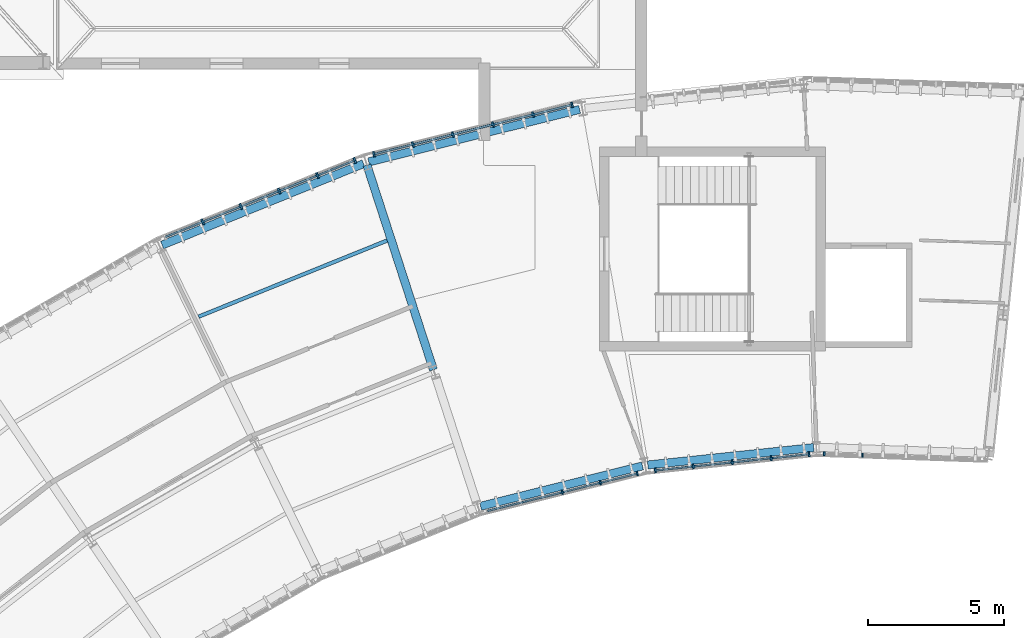
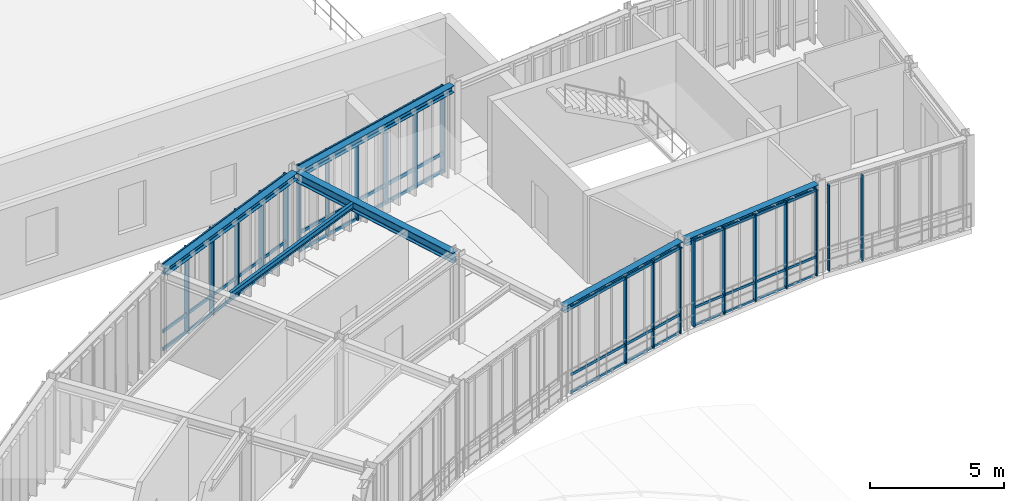
# One storey, part 23 of 57: 33 members, 6 beams, 5 elements without a shape of their own.
"""IFC4 building model written with IfcOpenShell, lengths in metres."""

from ifc_helpers import new_model, si_unit, direction, frame, origin, origin_2d, place, context, subcontext, project, spatial, rectangle, i_section, extrude, material, layer, layer_set, material_profile, profile_set, type_object, element, aggregate, save


model = new_model("IFC4")

# Units and contexts
model_context = context("Model", 3, precision=1e-05, world=origin(), true_north=direction((0.0, 1.0)))
body_context = subcontext(model_context, "Body", "Model", "MODEL_VIEW")
ifc_project = project(units=[si_unit("LENGTHUNIT", "METRE"), si_unit("AREAUNIT", "SQUARE_METRE"), si_unit("VOLUMEUNIT", "CUBIC_METRE"), si_unit("PLANEANGLEUNIT", "RADIAN"), si_unit("MASSUNIT", "GRAM", prefix="KILO"), si_unit("THERMODYNAMICTEMPERATUREUNIT", "KELVIN"), si_unit("POWERUNIT", "WATT")], contexts=[model_context])

# Site, building, storey
site_placement = place(None, origin())
site = spatial("IfcSite", under=ifc_project, at=site_placement, CompositionType="ELEMENT")
building_placement = place(site_placement, origin())
building = spatial("IfcBuilding", under=site, at=building_placement, Name="Solvatero Civic Police Headquarters", CompositionType="ELEMENT")
storey_placement = place(building_placement, frame((0.0, 0.0, 9.300048828125)))
storey = spatial("IfcBuildingStorey", under=building, at=storey_placement, Name="L02", CompositionType="ELEMENT", Elevation=9.300048828125)

# Beams
ifc_material_1 = material(Name="Steel S355", Category="steel")
ifc_material_profile_1 = material_profile(ifc_material_1, i_section(OverallWidth=0.300048828125, OverallDepth=0.2900390625, WebThickness=0.008544921875, FlangeThickness=0.013916015625, FilletRadius=0.027099609375, at=origin_2d()), Name="HEA 300")
ifc_profile_set_1 = profile_set([ifc_material_profile_1], Name="Steel S355")
beam_type_1 = type_object("IfcBeamType", Name="BM-ST-HEA300", PredefinedType="SPANDREL", material=ifc_profile_set_1)
for number, where, z_axis, x_axis, name in (
    (1, (92.31787109375, 71.31201171875, 3.85498046875), (-0.994518545743, -0.104560327912, 0.0), (0.104560327912, -0.994518545743, 0.0), "Perimeter / radial spandrel beam BM-R2-L02-ARC-CIN-B02"),
    (2, (86.028076171875, 70.63671875, 3.85498046875), (-0.970299338414, -0.241907407643, 0.0), (0.241907407643, -0.970299338414, 0.0), "Perimeter / radial spandrel beam BM-R2-L02-ARC-CIN-B03"),
):
    element("IfcBeam", number, at=place(storey_placement, frame(where, z_axis=z_axis, x_axis=x_axis)), inside=storey, type_object=beam_type_1, Name=name, PredefinedType="SPANDREL", context=body_context, shape_type="SweptSolid", body=[
        extrude(i_section(OverallWidth=0.300048828125, OverallDepth=0.2900390625, WebThickness=0.008544921875, FlangeThickness=0.013916015625, FilletRadius=0.027099609375, at=origin_2d()), origin(), (0.0, 0.0, 1.0), 6.126953125),
    ])
ifc_material_profile_2 = material_profile(ifc_material_1, i_section(OverallWidth=0.300048828125, OverallDepth=0.31005859375, WebThickness=0.009033203125, FlangeThickness=0.015380859375, FilletRadius=0.027099609375, at=origin_2d()), Name="HEA 320")
ifc_profile_set_2 = profile_set([ifc_material_profile_2], Name="Steel S355")
beam_type_2 = type_object("IfcBeamType", Name="BM-ST-HEA320", PredefinedType="SPANDREL", material=ifc_profile_set_2)
beam_1_placement = place(storey_placement, frame((83.718505859375, 83.73486328125, 3.844970703125), z_axis=(-0.970295230115, -0.241923885586, 0.0), x_axis=(0.241923885586, -0.970295230115, 0.0)))
element("IfcBeam", 3, at=beam_1_placement, inside=storey, type_object=beam_type_2, Name="Perimeter / radial spandrel beam BM-R2-L02-ARC-COUT-B03", PredefinedType="SPANDREL", context=body_context, shape_type="SweptSolid", body=[
    extrude(i_section(OverallWidth=0.300048828125, OverallDepth=0.31005859375, WebThickness=0.009033203125, FlangeThickness=0.015380859375, FilletRadius=0.027099609375, at=origin_2d()), origin(), (0.0, 0.0, 1.0), 7.982421875),
])
beam_2_placement = place(storey_placement, frame((75.783447265625, 81.741943359375, 3.844970703125), z_axis=(-0.927188731, -0.374594523594, 0.0), x_axis=(0.374594523594, -0.927188731, 0.0)))
element("IfcBeam", 4, at=beam_2_placement, inside=storey, type_object=beam_type_2, Name="Perimeter / radial spandrel beam BM-R2-L02-ARC-COUT-B04", PredefinedType="SPANDREL", context=body_context, shape_type="SweptSolid", body=[
    extrude(i_section(OverallWidth=0.300048828125, OverallDepth=0.31005859375, WebThickness=0.009033203125, FlangeThickness=0.015380859375, FilletRadius=0.027099609375, at=origin_2d()), origin(), (0.0, 0.0, 1.0), 7.982666015625),
])
ifc_material_profile_3 = material_profile(ifc_material_1, i_section(OverallWidth=0.300048828125, OverallDepth=0.43994140625, WebThickness=0.011474609375, FlangeThickness=0.02099609375, FilletRadius=0.027099609375, at=origin_2d()), Name="HEA 450")
ifc_profile_set_3 = profile_set([ifc_material_profile_3], Name="Steel S355")
beam_type_3 = type_object("IfcBeamType", Name="BM-ST-HEA450", PredefinedType="BEAM", material=ifc_profile_set_3)
beam_3_placement = place(storey_placement, frame((78.348388671875, 74.1708984375, 3.780029296875), z_axis=(-0.309033663672, 0.951051099951, 0.0), x_axis=(-0.951051099951, -0.309033663672, 0.0)))
element("IfcBeam", 5, at=beam_3_placement, inside=storey, type_object=beam_type_3, Name="Primary girder BM-R2-L02-ARC-RAD2-S03", PredefinedType="BEAM", context=body_context, shape_type="SweptSolid", body=[
    extrude(i_section(OverallWidth=0.300048828125, OverallDepth=0.43994140625, WebThickness=0.011474609375, FlangeThickness=0.02099609375, FilletRadius=0.027099609375, at=origin_2d()), origin(), (0.0, 0.0, 1.0), 7.900146484375),
])
ifc_material_profile_4 = material_profile(ifc_material_1, i_section(OverallWidth=0.135009765625, OverallDepth=0.27001953125, WebThickness=0.006591796875, FlangeThickness=0.01025390625, FilletRadius=0.014892578125, at=origin_2d()), Name="IPE 270")
ifc_profile_set_4 = profile_set([ifc_material_profile_4], Name="Steel S355")
beam_type_4 = type_object("IfcBeamType", Name="BM-ST-IPE270", PredefinedType="BEAM", material=ifc_profile_set_4)
beam_4_placement = place(storey_placement, frame((76.648681640625, 78.91748046875, 3.864990234375), z_axis=(-0.92718880438, -0.374594341966, 0.0), x_axis=(0.374594341966, -0.92718880438, 0.0)))
element("IfcBeam", 6, at=beam_4_placement, inside=storey, type_object=beam_type_4, Name="Composite floor beam BM-R2-L02-ARC-CS2-B04", PredefinedType="BEAM", context=body_context, shape_type="SweptSolid", body=[
    extrude(i_section(OverallWidth=0.135009765625, OverallDepth=0.27001953125, WebThickness=0.006591796875, FlangeThickness=0.01025390625, FilletRadius=0.014892578125, at=origin_2d()), origin(), (0.0, 0.0, 1.0), 7.470947265625),
])

# Curtain wall, members
ifc_material_2 = material(Name="Anodized Bronze Aluminium", Category="aluminium")
ifc_layer_1 = layer(ifc_material_2, 0.179931640625)
ifc_layer_set_1 = layer_set([ifc_layer_1], Name="Anodized Bronze Aluminium")
curtain_wall_type_1 = type_object("IfcCurtainWallType", Name="CW-ARC-IN", PredefinedType="USERDEFINED", material=ifc_layer_set_1)
curtain_wall_1_placement = place(storey_placement, origin())
curtain_wall_1 = element("IfcCurtainWall", 7, at=curtain_wall_1_placement, inside=storey, type_object=curtain_wall_type_1, Name="Curtain Wall CW-R2-L02-ARC-IN-B01", ObjectType="UNITISED", PredefinedType="USERDEFINED")
ifc_material_profile_5 = material_profile(ifc_material_2, rectangle(XDim=0.06005859375, YDim=0.139892578125, at=origin_2d()), Name="ALU MULLION 60x140")
ifc_profile_set_5 = profile_set([ifc_material_profile_5], Name="Anodized Bronze Aluminium")
member_type_1 = type_object("IfcMemberType", Name="CWM-160x65", PredefinedType="MULLION", material=ifc_profile_set_5)
member_1_placement = place(storey_placement, frame((94.1123046875, 71.03369140625, 0.0), z_axis=(0.0, 0.0, 1.0), x_axis=(-0.999390827019, 0.034899496703, 0.0)))
member_1 = element("IfcMember", 8, at=member_1_placement, type_object=member_type_1, Name="CW-R2-L02-ARC-IN-B01 Mullion 4", PredefinedType="MULLION", context=body_context, shape_type="SweptSolid", body=[
    extrude(rectangle(XDim=0.06005859375, YDim=0.139892578125, at=origin_2d()), origin(), (0.0, 0.0, 1.0), 3.93994140625),
])
member_2_placement = place(storey_placement, frame((92.705078125, 71.082763671875, 0.0), z_axis=(0.0, 0.0, 1.0), x_axis=(-0.999390827019, 0.034899496703, 0.0)))
member_2 = element("IfcMember", 9, at=member_2_placement, type_object=member_type_1, Name="CW-R2-L02-ARC-IN-B01 Mullion 5", PredefinedType="MULLION", context=body_context, shape_type="SweptSolid", body=[
    extrude(rectangle(XDim=0.06005859375, YDim=0.139892578125, at=origin_2d()), origin(), (0.0, 0.0, 1.0), 3.93994140625),
])
aggregate(curtain_wall_1, [member_1, member_2])

curtain_wall_2_placement = place(storey_placement, origin())
curtain_wall_2 = element("IfcCurtainWall", 10, at=curtain_wall_2_placement, inside=storey, type_object=curtain_wall_type_1, Name="Curtain Wall CW-R2-L02-ARC-IN-B03", ObjectType="UNITISED", PredefinedType="USERDEFINED")
ifc_material_profile_6 = material_profile(ifc_material_2, rectangle(XDim=0.06005859375, YDim=0.159912109375, at=origin_2d()), Name="ALU MULLION 60x160")
ifc_profile_set_6 = profile_set([ifc_material_profile_6], Name="Anodized Bronze Aluminium")
member_type_2 = type_object("IfcMemberType", Name="CWM-180x70", PredefinedType="MULLION", material=ifc_profile_set_6)
member_3_placement = place(storey_placement, frame((85.836181640625, 70.3525390625, 0.0), z_axis=(0.0, 0.0, 1.0), x_axis=(-0.970295726276, -0.2419218956, 0.0)))
member_3 = element("IfcMember", 11, at=member_3_placement, type_object=member_type_2, Name="CW-R2-L02-ARC-IN-B03 Mullion 1", PredefinedType="MULLION", context=body_context, shape_type="SweptSolid", body=[
    extrude(rectangle(XDim=0.06005859375, YDim=0.159912109375, at=origin_2d()), origin(), (0.0, 0.0, 1.0), 3.93994140625),
])
member_4_placement = place(storey_placement, frame((84.478759765625, 70.01416015625, 0.0), z_axis=(0.0, 0.0, 1.0), x_axis=(-0.970295726276, -0.2419218956, 0.0)))
member_4 = element("IfcMember", 12, at=member_4_placement, type_object=member_type_2, Name="CW-R2-L02-ARC-IN-B03 Mullion 2", PredefinedType="MULLION", context=body_context, shape_type="SweptSolid", body=[
    extrude(rectangle(XDim=0.06005859375, YDim=0.159912109375, at=origin_2d()), origin(), (0.0, 0.0, 1.0), 3.93994140625),
])
member_5_placement = place(storey_placement, frame((83.08251953125, 69.666015625, 0.0), z_axis=(0.0, 0.0, 1.0), x_axis=(-0.970295726276, -0.2419218956, 0.0)))
member_5 = element("IfcMember", 13, at=member_5_placement, type_object=member_type_2, Name="CW-R2-L02-ARC-IN-B03 Mullion 3", PredefinedType="MULLION", context=body_context, shape_type="SweptSolid", body=[
    extrude(rectangle(XDim=0.06005859375, YDim=0.159912109375, at=origin_2d()), origin(), (0.0, 0.0, 1.0), 3.93994140625),
])

curtain_wall_3_placement = place(storey_placement, origin())
curtain_wall_3 = element("IfcCurtainWall", 14, at=curtain_wall_3_placement, inside=storey, type_object=curtain_wall_type_1, Name="Curtain Wall CW-R2-L02-ARC-IN-B02", ObjectType="UNITISED", PredefinedType="USERDEFINED")
ifc_material_profile_7 = material_profile(ifc_material_2, rectangle(XDim=0.06494140625, YDim=0.179931640625, at=origin_2d()), Name="ALU MULLION 65x180")
ifc_profile_set_7 = profile_set([ifc_material_profile_7], Name="Anodized Bronze Aluminium")
member_type_3 = type_object("IfcMemberType", Name="CWM-200x75", PredefinedType="MULLION", material=ifc_profile_set_7)
member_6_placement = place(storey_placement, frame((92.14697265625, 71.063232421875, 0.0), z_axis=(0.0, 0.0, 1.0), x_axis=(-0.994521895368, -0.104528463268, 0.0)))
member_6 = element("IfcMember", 15, at=member_6_placement, type_object=member_type_3, Name="CW-R2-L02-ARC-IN-B02 Mullion 1", PredefinedType="MULLION", context=body_context, shape_type="SweptSolid", body=[
    extrude(rectangle(XDim=0.06494140625, YDim=0.179931640625, at=origin_2d()), origin(), (0.0, 0.0, 1.0), 3.93994140625),
])
member_7_placement = place(storey_placement, frame((90.755615234375, 70.9169921875, 0.0), z_axis=(0.0, 0.0, 1.0), x_axis=(-0.994521895368, -0.104528463268, 0.0)))
member_7 = element("IfcMember", 16, at=member_7_placement, type_object=member_type_3, Name="CW-R2-L02-ARC-IN-B02 Mullion 2", PredefinedType="MULLION", context=body_context, shape_type="SweptSolid", body=[
    extrude(rectangle(XDim=0.06494140625, YDim=0.179931640625, at=origin_2d()), origin(), (0.0, 0.0, 1.0), 3.93994140625),
])
member_8_placement = place(storey_placement, frame((89.32470703125, 70.7666015625, 0.0), z_axis=(0.0, 0.0, 1.0), x_axis=(-0.994521895368, -0.104528463268, 0.0)))
member_8 = element("IfcMember", 17, at=member_8_placement, type_object=member_type_3, Name="CW-R2-L02-ARC-IN-B02 Mullion 3", PredefinedType="MULLION", context=body_context, shape_type="SweptSolid", body=[
    extrude(rectangle(XDim=0.06494140625, YDim=0.179931640625, at=origin_2d()), origin(), (0.0, 0.0, 1.0), 3.93994140625),
])
member_9_placement = place(storey_placement, frame((87.8935546875, 70.6162109375, 0.0), z_axis=(0.0, 0.0, 1.0), x_axis=(-0.994521895368, -0.104528463268, 0.0)))
member_9 = element("IfcMember", 18, at=member_9_placement, type_object=member_type_3, Name="CW-R2-L02-ARC-IN-B02 Mullion 4", PredefinedType="MULLION", context=body_context, shape_type="SweptSolid", body=[
    extrude(rectangle(XDim=0.06494140625, YDim=0.179931640625, at=origin_2d()), origin(), (0.0, 0.0, 1.0), 3.93994140625),
])
member_10_placement = place(storey_placement, frame((86.502197265625, 70.469970703125, 0.0), z_axis=(0.0, 0.0, 1.0), x_axis=(-0.994521895368, -0.104528463268, 0.0)))
member_10 = element("IfcMember", 19, at=member_10_placement, type_object=member_type_3, Name="CW-R2-L02-ARC-IN-B02 Mullion 5", PredefinedType="MULLION", context=body_context, shape_type="SweptSolid", body=[
    extrude(rectangle(XDim=0.06494140625, YDim=0.179931640625, at=origin_2d()), origin(), (0.0, 0.0, 1.0), 3.93994140625),
])

ifc_layer_2 = layer(ifc_material_2, 0.179931640625)
ifc_layer_set_2 = layer_set([ifc_layer_2], Name="Anodized Bronze Aluminium")
curtain_wall_type_2 = type_object("IfcCurtainWallType", Name="CW-ARC-OUT", PredefinedType="USERDEFINED", material=ifc_layer_set_2)
curtain_wall_4_placement = place(storey_placement, origin())
curtain_wall_4 = element("IfcCurtainWall", 20, at=curtain_wall_4_placement, inside=storey, type_object=curtain_wall_type_2, Name="Curtain Wall CW-R2-L02-ARC-OUT-B03", ObjectType="UNITISED", PredefinedType="USERDEFINED")
ifc_material_profile_8 = material_profile(ifc_material_2, rectangle(XDim=0.070068359375, YDim=0.199951171875, at=origin_2d()), Name="ALU MULLION 70x200")
ifc_profile_set_8 = profile_set([ifc_material_profile_8], Name="Anodized Bronze Aluminium")
member_type_4 = type_object("IfcMemberType", Name="CWM-220x80", PredefinedType="MULLION", material=ifc_profile_set_8)
member_11_placement = place(storey_placement, frame((83.439697265625, 83.901611328125, 0.0), z_axis=(0.0, 0.0, 1.0), x_axis=(-0.970295726276, -0.2419218956, 0.0)))
member_11 = element("IfcMember", 21, at=member_11_placement, type_object=member_type_4, Name="CW-R2-L02-ARC-OUT-B03 Mullion 1", PredefinedType="MULLION", context=body_context, shape_type="SweptSolid", body=[
    extrude(rectangle(XDim=0.070068359375, YDim=0.199951171875, at=origin_2d()), origin(), (0.0, 0.0, 1.0), 3.93994140625),
])
member_12_placement = place(storey_placement, frame((82.00830078125, 83.544921875, 0.0), z_axis=(0.0, 0.0, 1.0), x_axis=(-0.970295726276, -0.2419218956, 0.0)))
member_12 = element("IfcMember", 22, at=member_12_placement, type_object=member_type_4, Name="CW-R2-L02-ARC-OUT-B03 Mullion 2", PredefinedType="MULLION", context=body_context, shape_type="SweptSolid", body=[
    extrude(rectangle(XDim=0.070068359375, YDim=0.199951171875, at=origin_2d()), origin(), (0.0, 0.0, 1.0), 3.93994140625),
])
member_13_placement = place(storey_placement, frame((80.53759765625, 83.177978515625, 0.0), z_axis=(0.0, 0.0, 1.0), x_axis=(-0.970295726276, -0.2419218956, 0.0)))
member_13 = element("IfcMember", 23, at=member_13_placement, type_object=member_type_4, Name="CW-R2-L02-ARC-OUT-B03 Mullion 3", PredefinedType="MULLION", context=body_context, shape_type="SweptSolid", body=[
    extrude(rectangle(XDim=0.070068359375, YDim=0.199951171875, at=origin_2d()), origin(), (0.0, 0.0, 1.0), 3.93994140625),
])
member_14_placement = place(storey_placement, frame((79.0673828125, 82.8115234375, 0.0), z_axis=(0.0, 0.0, 1.0), x_axis=(-0.970295726276, -0.2419218956, 0.0)))
member_14 = element("IfcMember", 24, at=member_14_placement, type_object=member_type_4, Name="CW-R2-L02-ARC-OUT-B03 Mullion 4", PredefinedType="MULLION", context=body_context, shape_type="SweptSolid", body=[
    extrude(rectangle(XDim=0.070068359375, YDim=0.199951171875, at=origin_2d()), origin(), (0.0, 0.0, 1.0), 3.93994140625),
])
member_15_placement = place(storey_placement, frame((77.5966796875, 82.44482421875, 0.0), z_axis=(0.0, 0.0, 1.0), x_axis=(-0.970295726276, -0.2419218956, 0.0)))
member_15 = element("IfcMember", 25, at=member_15_placement, type_object=member_type_4, Name="CW-R2-L02-ARC-OUT-B03 Mullion 5", PredefinedType="MULLION", context=body_context, shape_type="SweptSolid", body=[
    extrude(rectangle(XDim=0.070068359375, YDim=0.199951171875, at=origin_2d()), origin(), (0.0, 0.0, 1.0), 3.93994140625),
])
member_16_placement = place(storey_placement, frame((76.165283203125, 82.087890625, 0.0), z_axis=(0.0, 0.0, 1.0), x_axis=(-0.970295726276, -0.2419218956, 0.0)))
member_16 = element("IfcMember", 26, at=member_16_placement, type_object=member_type_4, Name="CW-R2-L02-ARC-OUT-B03 Mullion 6", PredefinedType="MULLION", context=body_context, shape_type="SweptSolid", body=[
    extrude(rectangle(XDim=0.070068359375, YDim=0.199951171875, at=origin_2d()), origin(), (0.0, 0.0, 1.0), 3.93994140625),
])

curtain_wall_5_placement = place(storey_placement, origin())
curtain_wall_5 = element("IfcCurtainWall", 27, at=curtain_wall_5_placement, inside=storey, type_object=curtain_wall_type_2, Name="Curtain Wall CW-R2-L02-ARC-OUT-B04", ObjectType="UNITISED", PredefinedType="USERDEFINED")
ifc_material_profile_9 = material_profile(ifc_material_2, rectangle(XDim=0.074951171875, YDim=0.219970703125, at=origin_2d()), Name="ALU MULLION 75x220")
ifc_profile_set_9 = profile_set([ifc_material_profile_9], Name="Anodized Bronze Aluminium")
member_type_5 = type_object("IfcMemberType", Name="CWM-250x85", PredefinedType="MULLION", material=ifc_profile_set_9)
member_17_placement = place(storey_placement, frame((75.461181640625, 81.859130859375, 0.0), z_axis=(0.0, 0.0, 1.0), x_axis=(-0.927183854567, -0.374606593416, 0.0)))
member_17 = element("IfcMember", 28, at=member_17_placement, type_object=member_type_5, Name="CW-R2-L02-ARC-OUT-B04 Mullion 1", PredefinedType="MULLION", context=body_context, shape_type="SweptSolid", body=[
    extrude(rectangle(XDim=0.074951171875, YDim=0.219970703125, at=origin_2d()), origin(), (0.0, 0.0, 1.0), 3.93994140625),
])
member_18_placement = place(storey_placement, frame((74.091064453125, 81.3056640625, 0.0), z_axis=(0.0, 0.0, 1.0), x_axis=(-0.927183854567, -0.374606593416, 0.0)))
member_18 = element("IfcMember", 29, at=member_18_placement, type_object=member_type_5, Name="CW-R2-L02-ARC-OUT-B04 Mullion 2", PredefinedType="MULLION", context=body_context, shape_type="SweptSolid", body=[
    extrude(rectangle(XDim=0.074951171875, YDim=0.219970703125, at=origin_2d()), origin(), (0.0, 0.0, 1.0), 3.93994140625),
])
member_19_placement = place(storey_placement, frame((72.683837890625, 80.737060546875, 0.0), z_axis=(0.0, 0.0, 1.0), x_axis=(-0.927183854567, -0.374606593416, 0.0)))
member_19 = element("IfcMember", 30, at=member_19_placement, type_object=member_type_5, Name="CW-R2-L02-ARC-OUT-B04 Mullion 3", PredefinedType="MULLION", context=body_context, shape_type="SweptSolid", body=[
    extrude(rectangle(XDim=0.074951171875, YDim=0.219970703125, at=origin_2d()), origin(), (0.0, 0.0, 1.0), 3.93994140625),
])
member_20_placement = place(storey_placement, frame((71.276611328125, 80.168701171875, 0.0), z_axis=(0.0, 0.0, 1.0), x_axis=(-0.927183854567, -0.374606593416, 0.0)))
member_20 = element("IfcMember", 31, at=member_20_placement, type_object=member_type_5, Name="CW-R2-L02-ARC-OUT-B04 Mullion 4", PredefinedType="MULLION", context=body_context, shape_type="SweptSolid", body=[
    extrude(rectangle(XDim=0.074951171875, YDim=0.219970703125, at=origin_2d()), origin(), (0.0, 0.0, 1.0), 3.93994140625),
])
member_21_placement = place(storey_placement, frame((69.869384765625, 79.60009765625, 0.0), z_axis=(0.0, 0.0, 1.0), x_axis=(-0.927183854567, -0.374606593416, 0.0)))
member_21 = element("IfcMember", 32, at=member_21_placement, type_object=member_type_5, Name="CW-R2-L02-ARC-OUT-B04 Mullion 5", PredefinedType="MULLION", context=body_context, shape_type="SweptSolid", body=[
    extrude(rectangle(XDim=0.074951171875, YDim=0.219970703125, at=origin_2d()), origin(), (0.0, 0.0, 1.0), 3.93994140625),
])

# Member
ifc_material_profile_10 = material_profile(ifc_material_2, rectangle(XDim=0.070068359375, YDim=0.159912109375, at=origin_2d()), Name="ALU TRANSOM 70x160")
ifc_profile_set_10 = profile_set([ifc_material_profile_10], Name="Anodized Bronze Aluminium")
member_type_6 = type_object("IfcMemberType", Name="CWT-120x55", PredefinedType="USERDEFINED", material=ifc_profile_set_10)
member_22_placement = place(storey_placement, frame((83.43017578125, 83.8994140625, 0.0400390625), z_axis=(-0.970292120879, -0.2419363556, 0.0), x_axis=(0.2419363556, -0.970292120879, 0.0)))
member_22 = element("IfcMember", 33, at=member_22_placement, type_object=member_type_6, Name="CW-R2-L02-ARC-OUT-B03 Transom 1", ObjectType="TRANSOM", PredefinedType="USERDEFINED", context=body_context, shape_type="SweptSolid", body=[
    extrude(rectangle(XDim=0.070068359375, YDim=0.159912109375, at=origin_2d()), origin(), (0.0, 0.0, 1.0), 7.4775390625),
])

member_23_placement = place(storey_placement, frame((83.43017578125, 83.8994140625, 0.849853515625), z_axis=(-0.970292120879, -0.2419363556, 0.0), x_axis=(0.2419363556, -0.970292120879, 0.0)))
member_23 = element("IfcMember", 34, at=member_23_placement, type_object=member_type_6, Name="CW-R2-L02-ARC-OUT-B03 Transom 2", ObjectType="TRANSOM", PredefinedType="USERDEFINED", context=body_context, shape_type="SweptSolid", body=[
    extrude(rectangle(XDim=0.070068359375, YDim=0.159912109375, at=origin_2d()), origin(), (0.0, 0.0, 1.0), 7.4775390625),
])

member_24_placement = place(storey_placement, frame((83.43017578125, 83.8994140625, 3.89990234375), z_axis=(-0.970292120879, -0.2419363556, 0.0), x_axis=(0.2419363556, -0.970292120879, 0.0)))
member_24 = element("IfcMember", 35, at=member_24_placement, type_object=member_type_6, Name="CW-R2-L02-ARC-OUT-B03 Transom 3", ObjectType="TRANSOM", PredefinedType="USERDEFINED", context=body_context, shape_type="SweptSolid", body=[
    extrude(rectangle(XDim=0.070068359375, YDim=0.159912109375, at=origin_2d()), origin(), (0.0, 0.0, 1.0), 7.4775390625),
])

aggregate(curtain_wall_4, [member_11, member_12, member_13, member_14, member_15, member_16, member_22, member_23, member_24])

ifc_material_profile_11 = material_profile(ifc_material_2, rectangle(XDim=0.06005859375, YDim=0.110107421875, at=origin_2d()), Name="ALU TRANSOM 60x110")
ifc_profile_set_11 = profile_set([ifc_material_profile_11], Name="Anodized Bronze Aluminium")
member_type_7 = type_object("IfcMemberType", Name="CWT-140x60", PredefinedType="USERDEFINED", material=ifc_profile_set_11)
member_25_placement = place(storey_placement, frame((92.136962890625, 71.062255859375, 0.0400390625), z_axis=(-0.994519635603, -0.104549961258, 0.0), x_axis=(0.104549961258, -0.994519635603, 0.0)))
member_25 = element("IfcMember", 36, at=member_25_placement, type_object=member_type_7, Name="CW-R2-L02-ARC-IN-B02 Transom 1", ObjectType="TRANSOM", PredefinedType="USERDEFINED", context=body_context, shape_type="SweptSolid", body=[
    extrude(rectangle(XDim=0.06005859375, YDim=0.110107421875, at=origin_2d()), origin(), (0.0, 0.0, 1.0), 5.65576171875),
])

member_26_placement = place(storey_placement, frame((92.136962890625, 71.062255859375, 0.849853515625), z_axis=(-0.994519635603, -0.104549961258, 0.0), x_axis=(0.104549961258, -0.994519635603, 0.0)))
member_26 = element("IfcMember", 37, at=member_26_placement, type_object=member_type_7, Name="CW-R2-L02-ARC-IN-B02 Transom 2", ObjectType="TRANSOM", PredefinedType="USERDEFINED", context=body_context, shape_type="SweptSolid", body=[
    extrude(rectangle(XDim=0.06005859375, YDim=0.110107421875, at=origin_2d()), origin(), (0.0, 0.0, 1.0), 5.65576171875),
])

member_27_placement = place(storey_placement, frame((92.136962890625, 71.062255859375, 3.89990234375), z_axis=(-0.994519635603, -0.104549961258, 0.0), x_axis=(0.104549961258, -0.994519635603, 0.0)))
member_27 = element("IfcMember", 38, at=member_27_placement, type_object=member_type_7, Name="CW-R2-L02-ARC-IN-B02 Transom 3", ObjectType="TRANSOM", PredefinedType="USERDEFINED", context=body_context, shape_type="SweptSolid", body=[
    extrude(rectangle(XDim=0.06005859375, YDim=0.110107421875, at=origin_2d()), origin(), (0.0, 0.0, 1.0), 5.65576171875),
])

aggregate(curtain_wall_3, [member_6, member_7, member_8, member_9, member_10, member_25, member_26, member_27])

ifc_material_profile_12 = material_profile(ifc_material_2, rectangle(XDim=0.06005859375, YDim=0.125, at=origin_2d()), Name="ALU TRANSOM 60x125")
ifc_profile_set_12 = profile_set([ifc_material_profile_12], Name="Anodized Bronze Aluminium")
member_type_8 = type_object("IfcMemberType", Name="CWT-160x65", PredefinedType="USERDEFINED", material=ifc_profile_set_12)
member_28_placement = place(storey_placement, frame((85.826416015625, 70.35009765625, 0.0400390625), z_axis=(-0.970292120879, -0.2419363556, 0.0), x_axis=(0.2419363556, -0.970292120879, 0.0)))
member_28 = element("IfcMember", 39, at=member_28_placement, type_object=member_type_8, Name="CW-R2-L02-ARC-IN-B03 Transom 1", ObjectType="TRANSOM", PredefinedType="USERDEFINED", context=body_context, shape_type="SweptSolid", body=[
    extrude(rectangle(XDim=0.06005859375, YDim=0.125, at=origin_2d()), origin(), (0.0, 0.0, 1.0), 5.656005859375),
])

member_29_placement = place(storey_placement, frame((85.826416015625, 70.35009765625, 0.849853515625), z_axis=(-0.970292120879, -0.2419363556, 0.0), x_axis=(0.2419363556, -0.970292120879, 0.0)))
member_29 = element("IfcMember", 40, at=member_29_placement, type_object=member_type_8, Name="CW-R2-L02-ARC-IN-B03 Transom 2", ObjectType="TRANSOM", PredefinedType="USERDEFINED", context=body_context, shape_type="SweptSolid", body=[
    extrude(rectangle(XDim=0.06005859375, YDim=0.125, at=origin_2d()), origin(), (0.0, 0.0, 1.0), 5.656005859375),
])

member_30_placement = place(storey_placement, frame((85.826416015625, 70.35009765625, 3.89990234375), z_axis=(-0.970292120879, -0.2419363556, 0.0), x_axis=(0.2419363556, -0.970292120879, 0.0)))
member_30 = element("IfcMember", 41, at=member_30_placement, type_object=member_type_8, Name="CW-R2-L02-ARC-IN-B03 Transom 3", ObjectType="TRANSOM", PredefinedType="USERDEFINED", context=body_context, shape_type="SweptSolid", body=[
    extrude(rectangle(XDim=0.06005859375, YDim=0.125, at=origin_2d()), origin(), (0.0, 0.0, 1.0), 5.656005859375),
])

aggregate(curtain_wall_2, [member_3, member_4, member_5, member_28, member_29, member_30])

ifc_material_profile_13 = material_profile(ifc_material_2, rectangle(XDim=0.06494140625, YDim=0.139892578125, at=origin_2d()), Name="ALU TRANSOM 65x140")
ifc_profile_set_13 = profile_set([ifc_material_profile_13], Name="Anodized Bronze Aluminium")
member_type_9 = type_object("IfcMemberType", Name="CWT-180x70", PredefinedType="USERDEFINED", material=ifc_profile_set_13)
member_31_placement = place(storey_placement, frame((75.451904296875, 81.85546875, 0.0400390625), z_axis=(-0.927189582589, -0.374592415751, 0.0), x_axis=(0.374592415751, -0.927189582589, 0.0)))
member_31 = element("IfcMember", 42, at=member_31_placement, type_object=member_type_9, Name="CW-R2-L02-ARC-OUT-B04 Transom 1", ObjectType="TRANSOM", PredefinedType="USERDEFINED", context=body_context, shape_type="SweptSolid", body=[
    extrude(rectangle(XDim=0.06494140625, YDim=0.139892578125, at=origin_2d()), origin(), (0.0, 0.0, 1.0), 7.488525390625),
])

member_32_placement = place(storey_placement, frame((75.451904296875, 81.85546875, 0.849853515625), z_axis=(-0.927189582589, -0.374592415751, 0.0), x_axis=(0.374592415751, -0.927189582589, 0.0)))
member_32 = element("IfcMember", 43, at=member_32_placement, type_object=member_type_9, Name="CW-R2-L02-ARC-OUT-B04 Transom 2", ObjectType="TRANSOM", PredefinedType="USERDEFINED", context=body_context, shape_type="SweptSolid", body=[
    extrude(rectangle(XDim=0.06494140625, YDim=0.139892578125, at=origin_2d()), origin(), (0.0, 0.0, 1.0), 7.488525390625),
])

member_33_placement = place(storey_placement, frame((75.451904296875, 81.85546875, 3.89990234375), z_axis=(-0.927189582589, -0.374592415751, 0.0), x_axis=(0.374592415751, -0.927189582589, 0.0)))
member_33 = element("IfcMember", 44, at=member_33_placement, type_object=member_type_9, Name="CW-R2-L02-ARC-OUT-B04 Transom 3", ObjectType="TRANSOM", PredefinedType="USERDEFINED", context=body_context, shape_type="SweptSolid", body=[
    extrude(rectangle(XDim=0.06494140625, YDim=0.139892578125, at=origin_2d()), origin(), (0.0, 0.0, 1.0), 7.488525390625),
])

aggregate(curtain_wall_5, [member_17, member_18, member_19, member_20, member_21, member_31, member_32, member_33])

save(model, "model.ifc")
